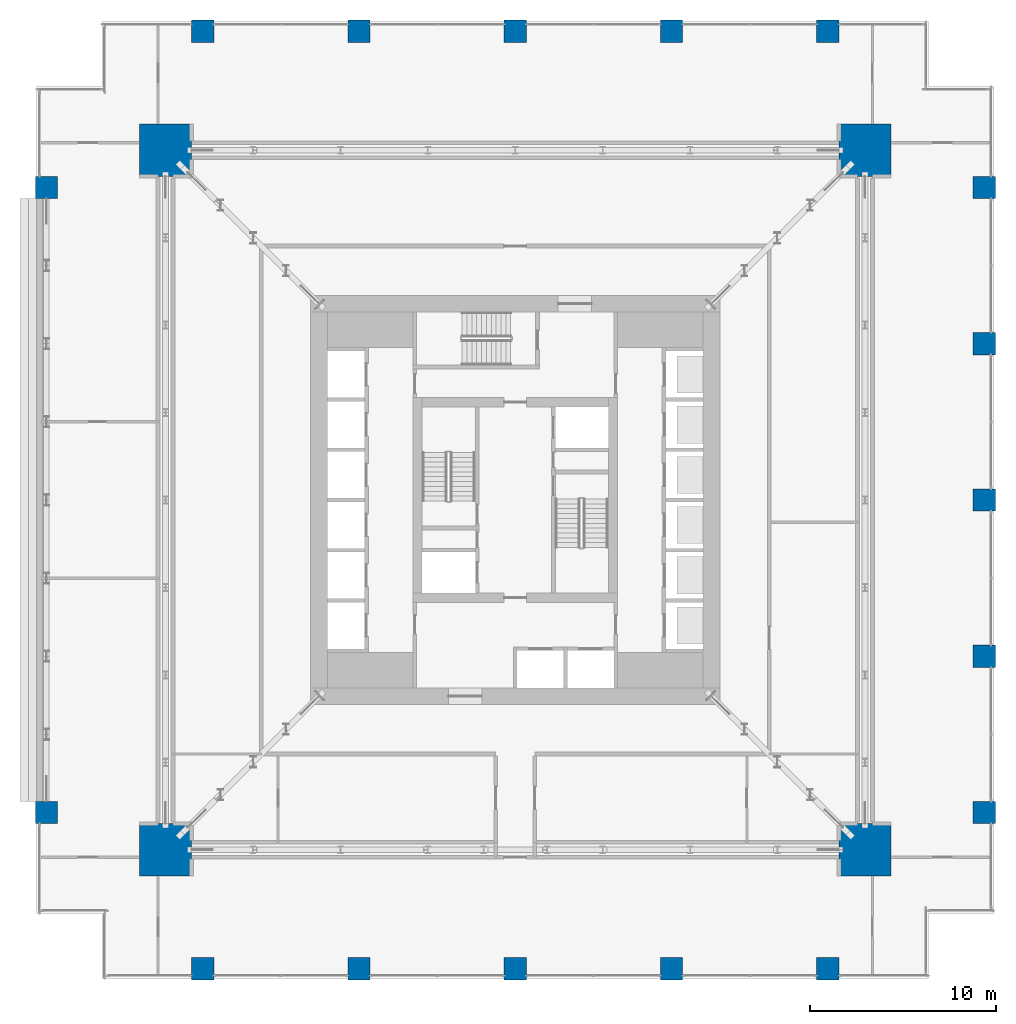
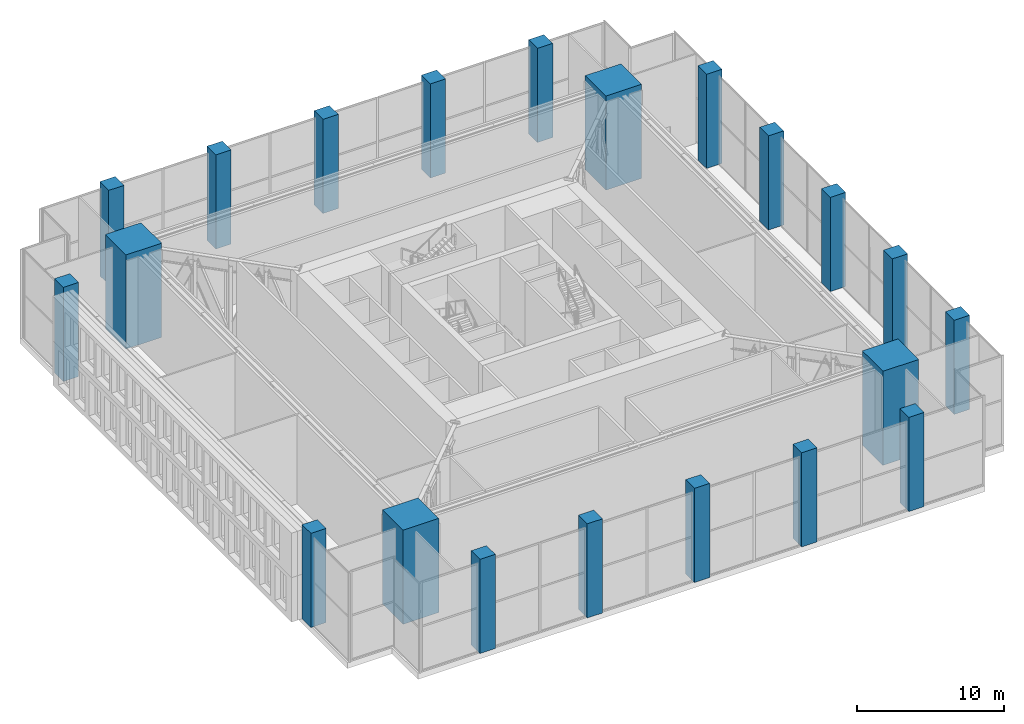
# One storey, part 1 of 21: 21 columns.
"""IFC4 building model written with IfcOpenShell, lengths in metres."""

from ifc_helpers import new_model, si_unit, direction, frame, origin, origin_2d, place, context, subcontext, project, spatial, rectangle, extrude, material, material_profile, profile_set, type_object, element, save


model = new_model("IFC4")

# Units and contexts
model_context = context("Model", 3, precision=1e-05, world=origin(), true_north=direction((0.0, 1.0)))
body_context = subcontext(model_context, "Body", "Model", "MODEL_VIEW")
ifc_project = project(units=[si_unit("LENGTHUNIT", "METRE"), si_unit("AREAUNIT", "SQUARE_METRE"), si_unit("VOLUMEUNIT", "CUBIC_METRE"), si_unit("PLANEANGLEUNIT", "RADIAN"), si_unit("MASSUNIT", "GRAM", prefix="KILO")], contexts=[model_context])

# Site, building, storey
site_placement = place(None, origin())
site = spatial("IfcSite", under=ifc_project, at=site_placement, CompositionType="ELEMENT")
building_placement = place(site_placement, origin())
building = spatial("IfcBuilding", under=site, at=building_placement, Name="Khepri Terraces", CompositionType="ELEMENT")
storey_placement = place(building_placement, frame((0.0, 0.0, 126.0)))
storey = spatial("IfcBuildingStorey", under=building, at=storey_placement, Name="L30", CompositionType="ELEMENT", Elevation=126.0)

# Columns
ifc_material = material(Name="Concrete C70/85", Category="concrete")
ifc_material_profile_1 = material_profile(ifc_material, rectangle(XDim=2.800048828125, YDim=2.800048828125, at=origin_2d()), Name="Concrete C70/85", Category="concrete")
ifc_profile_set_1 = profile_set([ifc_material_profile_1], Name="Concrete C70/85")
column_type_1 = type_object("IfcColumnType", Name="Mega column RC 2800x2800 C70/85", PredefinedType="COLUMN", material=ifc_profile_set_1)
for number, where, z_axis, x_axis, name in (
    (1, (18.800048828125, 18.800048828125, 0.0), (0.0, 0.0, 1.0), (1.0, 0.0, 0.0), "Mega column MEN L30"),
    (2, (18.800048828125, -18.800048828125, 0.0), (0.0, 0.0, 1.0), (1.0, 0.0, 0.0), "Mega column MES L30"),
    (3, (-18.800048828125, 18.800048828125, 0.0), (0.0, 0.0, 1.0), (1.0, 0.0, 0.0), "Mega column MWN L30"),
    (4, (-18.800048828125, -18.800048828125, 0.0), (0.0, 0.0, 1.0), (1.0, 0.0, 0.0), "Mega column MWS L30"),
):
    element("IfcColumn", number, at=place(storey_placement, frame(where, z_axis=z_axis, x_axis=x_axis)), inside=storey, type_object=column_type_1, Name=name, PredefinedType="COLUMN", context=body_context, shape_type="SweptSolid", body=[
        extrude(rectangle(XDim=2.800048828125, YDim=2.800048828125, at=origin_2d()), origin(), (0.0, 0.0, 1.0), 7.800048828125),
    ])
ifc_material_profile_2 = material_profile(ifc_material, rectangle(XDim=1.199951171875, YDim=1.199951171875, at=origin_2d()), Name="Concrete C70/85", Category="concrete")
ifc_profile_set_2 = profile_set([ifc_material_profile_2], Name="Concrete C70/85")
column_type_2 = type_object("IfcColumnType", Name="Tower column RC 1200x1200 C70/85", PredefinedType="COLUMN", material=ifc_profile_set_2)
for number, where, z_axis, x_axis, name in (
    (5, (25.199951171875, 0.0, 0.0), (0.0, 0.0, 1.0), (1.0, 0.0, 0.0), "Perimeter column PE+000a L30"),
    (6, (25.199951171875, 8.39990234375, 0.0), (0.0, 0.0, 1.0), (1.0, 0.0, 0.0), "Perimeter column PE+084a L30"),
    (7, (25.199951171875, 16.800048828125, 0.0), (0.0, 0.0, 1.0), (1.0, 0.0, 0.0), "Perimeter column PE+168a L30"),
    (8, (25.199951171875, -8.39990234375, 0.0), (0.0, 0.0, 1.0), (1.0, 0.0, 0.0), "Perimeter column PE-084a L30"),
    (9, (25.199951171875, -16.800048828125, 0.0), (0.0, 0.0, 1.0), (1.0, 0.0, 0.0), "Perimeter column PE-168a L30"),
    (10, (0.0, 25.199951171875, 0.0), (0.0, 0.0, 1.0), (1.0, 0.0, 0.0), "Perimeter column PN+000a L30"),
    (11, (-8.39990234375, 25.199951171875, 0.0), (0.0, 0.0, 1.0), (1.0, 0.0, 0.0), "Perimeter column PN+084a L30"),
    (12, (-16.800048828125, 25.199951171875, 0.0), (0.0, 0.0, 1.0), (1.0, 0.0, 0.0), "Perimeter column PN+168a L30"),
    (13, (8.39990234375, 25.199951171875, 0.0), (0.0, 0.0, 1.0), (1.0, 0.0, 0.0), "Perimeter column PN-084a L30"),
    (14, (16.800048828125, 25.199951171875, 0.0), (0.0, 0.0, 1.0), (1.0, 0.0, 0.0), "Perimeter column PN-168a L30"),
    (15, (0.0, -25.199951171875, 0.0), (0.0, 0.0, 1.0), (1.0, 0.0, 0.0), "Perimeter column PS+000b L30"),
    (16, (8.39990234375, -25.199951171875, 0.0), (0.0, 0.0, 1.0), (1.0, 0.0, 0.0), "Perimeter column PS+084b L30"),
    (17, (16.800048828125, -25.199951171875, 0.0), (0.0, 0.0, 1.0), (1.0, 0.0, 0.0), "Perimeter column PS+168a L30"),
    (18, (-8.39990234375, -25.199951171875, 0.0), (0.0, 0.0, 1.0), (1.0, 0.0, 0.0), "Perimeter column PS-084b L30"),
    (19, (-16.800048828125, -25.199951171875, 0.0), (0.0, 0.0, 1.0), (1.0, 0.0, 0.0), "Perimeter column PS-168a L30"),
    (20, (-25.199951171875, -16.800048828125, 0.0), (0.0, 0.0, 1.0), (1.0, 0.0, 0.0), "Perimeter column PW+168a L30"),
    (21, (-25.199951171875, 16.800048828125, 0.0), (0.0, 0.0, 1.0), (1.0, 0.0, 0.0), "Perimeter column PW-168a L30"),
):
    element("IfcColumn", number, at=place(storey_placement, frame(where, z_axis=z_axis, x_axis=x_axis)), inside=storey, type_object=column_type_2, Name=name, PredefinedType="COLUMN", context=body_context, shape_type="SweptSolid", body=[
        extrude(rectangle(XDim=1.199951171875, YDim=1.199951171875, at=origin_2d()), origin(), (0.0, 0.0, 1.0), 7.800048828125),
    ])

save(model, "model.ifc")
